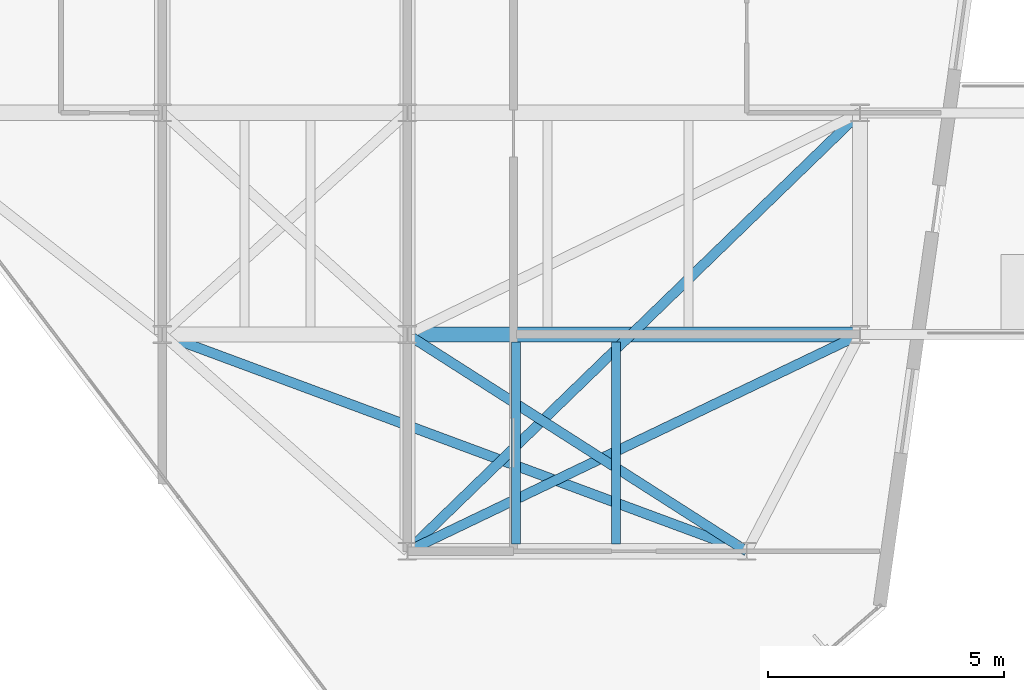
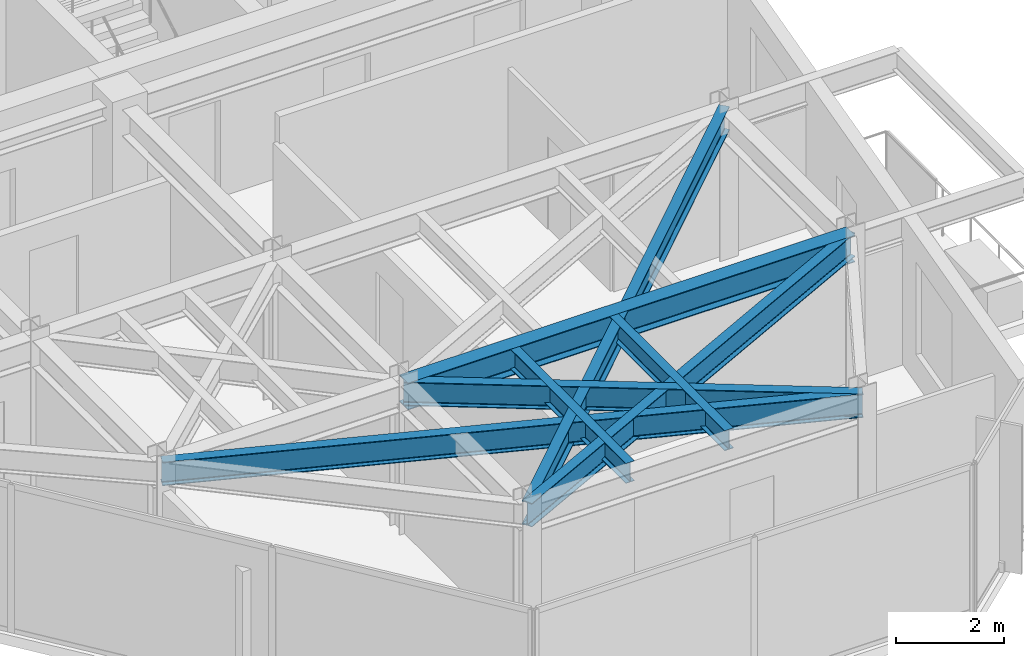
# One storey, part 7 of 17: 7 beams.
"""IFC4 building model written with IfcOpenShell, lengths in metres."""

import ifcopenshell
import ifcopenshell.guid

model = None  # the IFC model being written
_history = None  # IfcOwnerHistory: only IFC2X3 demands one
_inside = {}  # id of a spatial element -> (the spatial element, [elements in it])
_under = {}  # id of a project, library or spatial element -> (it, [spatial elements below it])
_declared = {}  # id of a project -> (the project, [libraries it declares])
_typed = {}  # id of a type object -> (the type object, [elements of that type])
_made_of = {}  # id of a material, layer set ... -> (it, [elements and type objects made of it])


def new_model(schema):
    """Start an empty IFC model of exactly this schema.

    Asked for "IFC4X3", IfcOpenShell would pick the latest addendum, in which some entities
    have other attributes; the version numbers below select the first issue.
    IFC2X3 requires an IfcOwnerHistory on every rooted entity: one is made here for all.
    """
    global model, _history
    if schema == "IFC4X3":
        model = ifcopenshell.file(schema_version=(4, 3, 0, 0))
    else:
        model = ifcopenshell.file(schema=schema)
    _inside.clear()
    _under.clear()
    _declared.clear()
    _typed.clear()
    _made_of.clear()
    _history = None
    if model.schema == "IFC2X3":
        org = make("IfcOrganization", Name="unknown")
        user = make(
            "IfcPersonAndOrganization",
            ThePerson=make("IfcPerson", FamilyName="unknown"),
            TheOrganization=org,
        )
        app = make(
            "IfcApplication",
            ApplicationDeveloper=org,
            Version="unknown",
            ApplicationFullName="unknown",
            ApplicationIdentifier="unknown",
        )
        _history = make(
            "IfcOwnerHistory",
            OwningUser=user,
            OwningApplication=app,
            ChangeAction="ADDED",
            CreationDate=0,
        )
    return model


def make(cls, **values):
    """One entity of the class cls with the attributes given. An attribute that is None is left unset."""
    return model.create_entity(
        cls, **{name: value for name, value in values.items() if value is not None}
    )


def rooted(cls, **values):
    """An entity with a GlobalId (a new one), such as an element, a storey or a relation."""
    return make(cls, GlobalId=ifcopenshell.guid.new(), OwnerHistory=_history, **values)


def si_unit(unit_type, name, prefix=None):
    """IfcSIUnit, for example si_unit("LENGTHUNIT", "METRE", prefix="MILLI")."""
    return make("IfcSIUnit", UnitType=unit_type, Prefix=prefix, Name=name)


def assignment(units):
    """IfcUnitAssignment: the units of a project."""
    return None if units is None else make("IfcUnitAssignment", Units=units)


def point(xyz):
    """IfcCartesianPoint."""
    return None if xyz is None else make("IfcCartesianPoint", Coordinates=xyz)


def direction(xyz):
    """IfcDirection."""
    return None if xyz is None else make("IfcDirection", DirectionRatios=xyz)


def frame(location, z_axis=None, x_axis=None):
    """IfcAxis2Placement3D, a coordinate frame: its origin and axes. An axis left out is left unset."""
    return make(
        "IfcAxis2Placement3D",
        Location=point(location),
        Axis=direction(z_axis),
        RefDirection=direction(x_axis),
    )


def frame_2d(location, x_axis=None):
    """IfcAxis2Placement2D, a coordinate frame in the plane: its origin and x axis."""
    return make(
        "IfcAxis2Placement2D", Location=point(location), RefDirection=direction(x_axis)
    )


def origin():
    """The frame at (0, 0, 0) with its axes left unset."""
    return frame((0.0, 0.0, 0.0))


def origin_2d():
    """The frame at (0, 0) in the plane with its x axis left unset."""
    return frame_2d((0.0, 0.0))


def place(relative_to, where):
    """IfcLocalPlacement: puts the frame where relative to a parent placement (None: the world)."""
    return make(
        "IfcLocalPlacement", PlacementRelTo=relative_to, RelativePlacement=where
    )


def context(
    kind, dimensions, precision=None, world=None, true_north=None, identifier=None
):
    """IfcGeometricRepresentationContext, for example the 3D "Model" context."""
    return make(
        "IfcGeometricRepresentationContext",
        ContextIdentifier=identifier,
        ContextType=kind,
        CoordinateSpaceDimension=dimensions,
        Precision=precision,
        WorldCoordinateSystem=world,
        TrueNorth=true_north,
    )


def subcontext(parent, identifier, kind, view, scale=None):
    """IfcGeometricRepresentationSubContext, for example "Body" below "Model"."""
    return make(
        "IfcGeometricRepresentationSubContext",
        ContextIdentifier=identifier,
        ContextType=kind,
        ParentContext=parent,
        TargetScale=scale,
        TargetView=view,
    )


def project(units=None, contexts=None):
    """IfcProject with its units and contexts."""
    return rooted(
        "IfcProject",
        Name="project",
        RepresentationContexts=contexts,
        UnitsInContext=assignment(units),
    )


def spatial(cls, under=None, at=None, **own):
    """A site, building, storey or space (cls), placed at a placement, below another one or the project."""
    s = rooted(cls, ObjectPlacement=at, **own)
    if under is not None:
        _under.setdefault(under.id(), (under, []))[1].append(s)
    return s


def profile(cls, at=None, kind="AREA", **sizes):
    """A parametric profile (cls). Its sizes go by their IFC names, for example OverallWidth=200.0."""
    return make(cls, ProfileType=kind, Position=at, **sizes)


def i_section(**sizes):
    """IfcIShapeProfileDef."""
    return profile("IfcIShapeProfileDef", **sizes)


def extrude(swept, where, along, depth):
    """IfcExtrudedAreaSolid: the profile swept, set in the frame where, extruded along a direction by depth."""
    return make(
        "IfcExtrudedAreaSolid",
        SweptArea=swept,
        Position=where,
        ExtrudedDirection=direction(along),
        Depth=depth,
    )


def shape(context_of_items, identifier, shape_type, items):
    """IfcShapeRepresentation: the items that make up one representation, for example the "Body"."""
    return make(
        "IfcShapeRepresentation",
        ContextOfItems=context_of_items,
        RepresentationIdentifier=identifier,
        RepresentationType=shape_type,
        Items=items,
    )


def material(Name=None, Category=None):
    """IfcMaterial."""
    return make("IfcMaterial", Name=Name, Category=Category)


def material_profile(
    of_material, cross_section, Name=None, Category=None, Priority=None
):
    """IfcMaterialProfile: a cross section and its material."""
    return make(
        "IfcMaterialProfile",
        Name=Name,
        Material=of_material,
        Profile=cross_section,
        Priority=Priority,
        Category=Category,
    )


def profile_set(profiles, Name=None, composite=None):
    """IfcMaterialProfileSet."""
    return make(
        "IfcMaterialProfileSet",
        Name=Name,
        MaterialProfiles=profiles,
        CompositeProfile=composite,
    )


def made_of(thing, what):
    """Note that an element or type object is made of a material, layer set ...; save() writes the relation."""
    if what is not None:
        _made_of.setdefault(what.id(), (what, []))[1].append(thing)
    return thing


def type_object(cls, material=None, **own):
    """A type object (cls), such as IfcWallType, which elements share."""
    return made_of(rooted(cls, **own), material)


def element(
    cls,
    number,
    at=None,
    inside=None,
    cuts=None,
    type_object=None,
    material=None,
    context=None,
    identifier="Body",
    shape_type=None,
    held_by="IfcProductDefinitionShape",
    body=None,
    shapes=None,
    **own,
):
    """One element of the class cls, such as IfcWall. Its Tag is "e" and its number.

    at: its placement. inside: the storey or other place that contains it. cuts: it is an
    opening in that element (IfcRelVoidsElement). A single representation is given by context,
    identifier, shape_type and body (its items); several are given by shapes. held_by: the class
    of the entity that holds the representations. save() writes the other relations.
    """
    e = rooted(cls, Tag="e%d" % number, ObjectPlacement=at, **own)
    if body is not None:
        shapes = [shape(context, identifier, shape_type, body)]
    if shapes is not None:
        e.Representation = make(held_by, Representations=shapes)
    if inside is not None:
        _inside.setdefault(inside.id(), (inside, []))[1].append(e)
    if cuts is not None:
        rooted(
            "IfcRelVoidsElement", RelatingBuildingElement=cuts, RelatedOpeningElement=e
        )
    if type_object is not None:
        _typed.setdefault(type_object.id(), (type_object, []))[1].append(e)
    return made_of(e, material)


def aggregate(whole, parts):
    """IfcRelAggregates: a whole, such as a stair, and the parts it consists of."""
    return rooted("IfcRelAggregates", RelatingObject=whole, RelatedObjects=parts)


def save(model, path):
    """Write the relations noted so far, then the file.

    IfcRelAggregates (storeys below a building ...), IfcRelContainedInSpatialStructure (elements
    in a storey), IfcRelDefinesByType, IfcRelAssociatesMaterial and IfcRelDeclares: one each for
    every whole, place, type object, material and project.
    """
    for whole, parts in _under.values():
        aggregate(whole, parts)
    for where, things in _inside.values():
        rooted(
            "IfcRelContainedInSpatialStructure",
            RelatedElements=things,
            RelatingStructure=where,
        )
    for kind, things in _typed.values():
        rooted("IfcRelDefinesByType", RelatedObjects=things, RelatingType=kind)
    for what, things in _made_of.values():
        rooted("IfcRelAssociatesMaterial", RelatedObjects=things, RelatingMaterial=what)
    for by, libraries in _declared.values():
        rooted("IfcRelDeclares", RelatingContext=by, RelatedDefinitions=libraries)
    model.write(path)


model = new_model("IFC4")

# Units and contexts
model_context = context("Model", 3, precision=1e-05, world=origin(), true_north=direction((0.0, 1.0)))
body_context = subcontext(model_context, "Body", "Model", "MODEL_VIEW")
ifc_project = project(units=[si_unit("LENGTHUNIT", "METRE"), si_unit("AREAUNIT", "SQUARE_METRE"), si_unit("VOLUMEUNIT", "CUBIC_METRE"), si_unit("PLANEANGLEUNIT", "RADIAN"), si_unit("MASSUNIT", "GRAM", prefix="KILO")], contexts=[model_context])

# Site, building, storey
site_placement = place(None, origin())
site = spatial("IfcSite", under=ifc_project, at=site_placement, CompositionType="ELEMENT")
building_placement = place(site_placement, origin())
building = spatial("IfcBuilding", under=site, at=building_placement, Name="Kravanh Interchange Tower", CompositionType="ELEMENT")
storey_placement = place(building_placement, frame((0.0, 0.0, 282.300048828125)))
storey = spatial("IfcBuildingStorey", under=building, at=storey_placement, Name="L69", CompositionType="ELEMENT", Elevation=282.300048828125)

# Beams
ifc_material_1 = material(Name="Structural Steel S355", Category="steel")
ifc_material_profile_1 = material_profile(ifc_material_1, i_section(OverallWidth=0.323974609375, OverallDepth=0.611083984375, WebThickness=0.0126953125, FlangeThickness=0.01904296875, FilletRadius=0.02197265625, at=origin_2d()), Name="W24X104")
ifc_profile_set_1 = profile_set([ifc_material_profile_1], Name="Structural Steel S355")
beam_type_1 = type_object("IfcBeamType", Name="Floor Beam W24X104 Structural Steel S355", PredefinedType="BEAM", material=ifc_profile_set_1)
beam_1_placement = place(storey_placement, frame((56.0, 26.800048828125, 3.0595703125), z_axis=(1.0, 0.0, 0.0), x_axis=(0.0, 1.0, 0.0)))
element("IfcBeam", 1, at=beam_1_placement, inside=storey, type_object=beam_type_1, Name="L69 Primary Floor Girder 30", PredefinedType="BEAM", context=body_context, shape_type="SweptSolid", body=[
    extrude(i_section(OverallWidth=0.323974609375, OverallDepth=0.611083984375, WebThickness=0.0126953125, FlangeThickness=0.01904296875, FilletRadius=0.02197265625, at=origin_2d()), origin(), (0.0, 0.0, 1.0), 9.60009765625),
])
ifc_material_2 = material(Name="Structural Steel S355", Category="steel")
ifc_material_profile_2 = material_profile(ifc_material_2, i_section(OverallWidth=0.18994140625, OverallDepth=0.45703125, WebThickness=0.009033203125, FlangeThickness=0.014404296875, FilletRadius=0.01806640625, at=origin_2d()), Name="W18X50")
ifc_profile_set_2 = profile_set([ifc_material_profile_2], Name="Structural Steel S355")
beam_type_2 = type_object("IfcBeamType", Name="Floor Joist W18X50 Structural Steel S355", PredefinedType="JOIST", material=ifc_profile_set_2)
for number, where, z_axis, x_axis, name in (
    (2, (58.302001953125, 22.35693359375, 3.136474609375), (0.0, 1.0, 0.0), (-1.0, 0.0, 0.0), "L69 Secondary Floor Joist 1"),
    (3, (60.426025390625, 22.35693359375, 3.136474609375), (0.0, 1.0, 0.0), (-1.0, 0.0, 0.0), "L69 Secondary Floor Joist 2"),
):
    element("IfcBeam", number, at=place(storey_placement, frame(where, z_axis=z_axis, x_axis=x_axis)), inside=storey, type_object=beam_type_2, Name=name, PredefinedType="JOIST", context=body_context, shape_type="SweptSolid", body=[
        extrude(i_section(OverallWidth=0.18994140625, OverallDepth=0.45703125, WebThickness=0.009033203125, FlangeThickness=0.014404296875, FilletRadius=0.01806640625, at=origin_2d()), origin(), (0.0, 0.0, 1.0), 4.2861328125),
    ])
ifc_material_3 = material(Name="Structural Steel S355", Category="steel")
ifc_material_profile_3 = material_profile(ifc_material_3, i_section(OverallWidth=0.2099609375, OverallDepth=0.537109375, WebThickness=0.010986328125, FlangeThickness=0.017333984375, FilletRadius=0.02001953125, at=origin_2d()), Name="W21X68")
ifc_profile_set_3 = profile_set([ifc_material_profile_3], Name="Structural Steel S355")
beam_type_3 = type_object("IfcBeamType", Name="Floor Spandrel W21X68 Structural Steel S355", PredefinedType="SPANDREL", material=ifc_profile_set_3)
beam_2_placement = place(storey_placement, frame((65.60009765625, 31.5, 3.096435546875), z_axis=(-0.718241934329, -0.695793449072, 0.0), x_axis=(0.695793449072, -0.718241934329, 0.0)))
element("IfcBeam", 4, at=beam_2_placement, inside=storey, type_object=beam_type_3, Name="L69 Perimeter Spandrel 16", PredefinedType="SPANDREL", context=body_context, shape_type="SweptSolid", body=[
    extrude(i_section(OverallWidth=0.2099609375, OverallDepth=0.537109375, WebThickness=0.010986328125, FlangeThickness=0.017333984375, FilletRadius=0.02001953125, at=origin_2d()), origin(), (0.0, 0.0, 1.0), 13.3662109375),
])
beam_3_placement = place(storey_placement, frame((50.800048828125, 26.800048828125, 3.096435546875), z_axis=(0.937562917338, -0.347815721372, 0.0), x_axis=(0.347815721372, 0.937562917338, 0.0)))
element("IfcBeam", 5, at=beam_3_placement, inside=storey, type_object=beam_type_3, Name="L69 Perimeter Spandrel 27", PredefinedType="SPANDREL", context=body_context, shape_type="SweptSolid", body=[
    extrude(i_section(OverallWidth=0.2099609375, OverallDepth=0.537109375, WebThickness=0.010986328125, FlangeThickness=0.017333984375, FilletRadius=0.02001953125, at=origin_2d()), origin(), (0.0, 0.0, 1.0), 13.2255859375),
])
beam_4_placement = place(storey_placement, frame((56.0, 26.800048828125, 3.096435546875), z_axis=(0.842689417531, -0.53839998661, 0.0), x_axis=(0.53839998661, 0.842689417531, 0.0)))
element("IfcBeam", 6, at=beam_4_placement, inside=storey, type_object=beam_type_3, Name="L69 Perimeter Spandrel 29", PredefinedType="SPANDREL", context=body_context, shape_type="SweptSolid", body=[
    extrude(i_section(OverallWidth=0.2099609375, OverallDepth=0.537109375, WebThickness=0.010986328125, FlangeThickness=0.017333984375, FilletRadius=0.02001953125, at=origin_2d()), origin(), (0.0, 0.0, 1.0), 8.5439453125),
])
beam_5_placement = place(storey_placement, frame((65.60009765625, 26.800048828125, 3.096435546875), z_axis=(-0.901814166789, -0.432124066188, 0.0), x_axis=(0.432124066188, -0.901814166789, 0.0)))
element("IfcBeam", 7, at=beam_5_placement, inside=storey, type_object=beam_type_3, Name="L69 Perimeter Spandrel 32", PredefinedType="SPANDREL", context=body_context, shape_type="SweptSolid", body=[
    extrude(i_section(OverallWidth=0.2099609375, OverallDepth=0.537109375, WebThickness=0.010986328125, FlangeThickness=0.017333984375, FilletRadius=0.02001953125, at=origin_2d()), origin(), (0.0, 0.0, 1.0), 10.645263671875),
])

save(model, "model.ifc")
